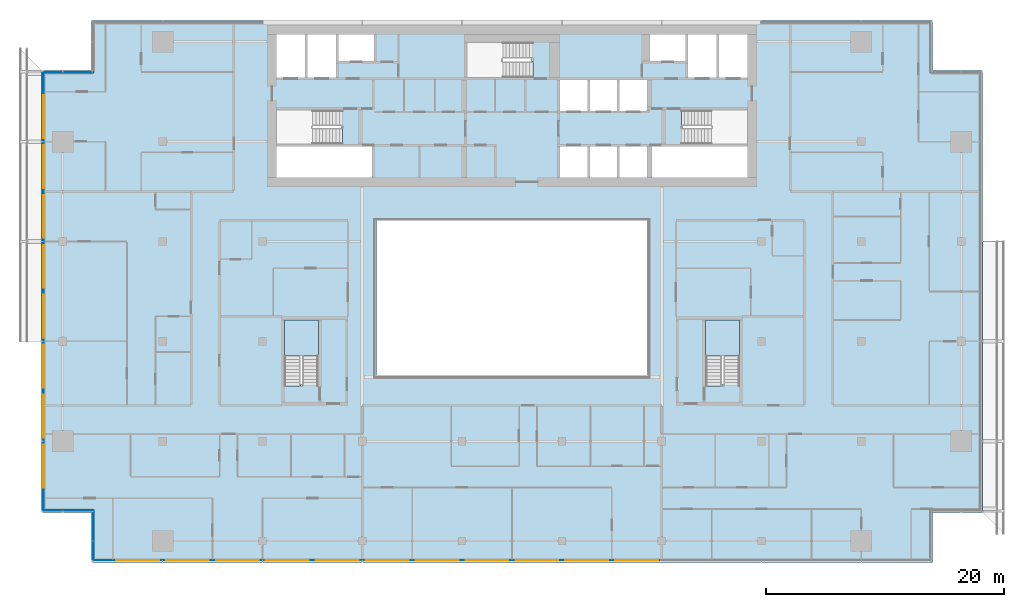
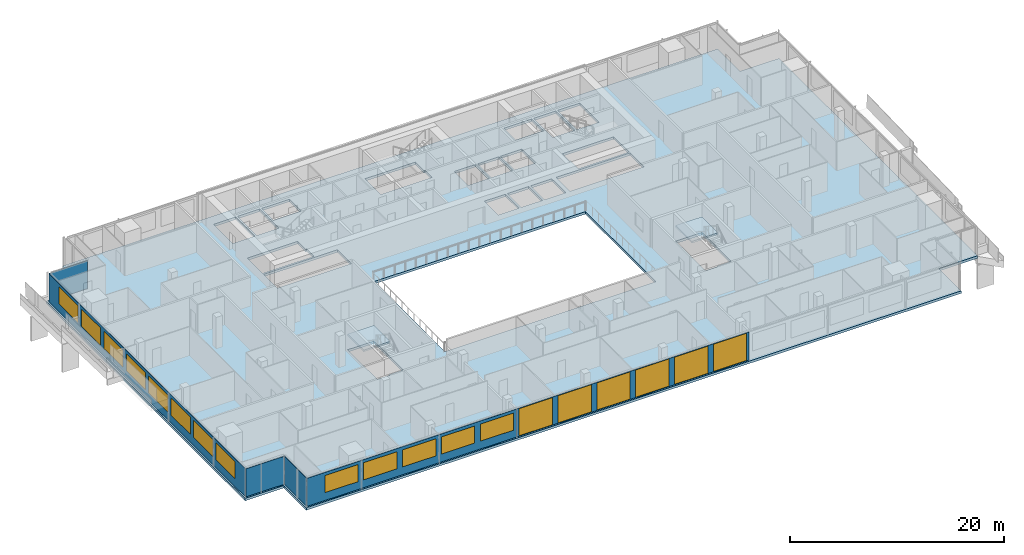
# One storey, part 14 of 27: 19 windows, 6 plates, 3 slabs, 19 openings, 7 elements without a shape of their own.
"""IFC4 building model written with IfcOpenShell, lengths in metres."""

import ifcopenshell
import ifcopenshell.guid

model = None  # the IFC model being written
_history = None  # IfcOwnerHistory: only IFC2X3 demands one
_inside = {}  # id of a spatial element -> (the spatial element, [elements in it])
_under = {}  # id of a project, library or spatial element -> (it, [spatial elements below it])
_declared = {}  # id of a project -> (the project, [libraries it declares])
_typed = {}  # id of a type object -> (the type object, [elements of that type])
_made_of = {}  # id of a material, layer set ... -> (it, [elements and type objects made of it])


def new_model(schema):
    """Start an empty IFC model of exactly this schema.

    Asked for "IFC4X3", IfcOpenShell would pick the latest addendum, in which some entities
    have other attributes; the version numbers below select the first issue.
    IFC2X3 requires an IfcOwnerHistory on every rooted entity: one is made here for all.
    """
    global model, _history
    if schema == "IFC4X3":
        model = ifcopenshell.file(schema_version=(4, 3, 0, 0))
    else:
        model = ifcopenshell.file(schema=schema)
    _inside.clear()
    _under.clear()
    _declared.clear()
    _typed.clear()
    _made_of.clear()
    _history = None
    if model.schema == "IFC2X3":
        org = make("IfcOrganization", Name="unknown")
        user = make(
            "IfcPersonAndOrganization",
            ThePerson=make("IfcPerson", FamilyName="unknown"),
            TheOrganization=org,
        )
        app = make(
            "IfcApplication",
            ApplicationDeveloper=org,
            Version="unknown",
            ApplicationFullName="unknown",
            ApplicationIdentifier="unknown",
        )
        _history = make(
            "IfcOwnerHistory",
            OwningUser=user,
            OwningApplication=app,
            ChangeAction="ADDED",
            CreationDate=0,
        )
    return model


def make(cls, **values):
    """One entity of the class cls with the attributes given. An attribute that is None is left unset."""
    return model.create_entity(
        cls, **{name: value for name, value in values.items() if value is not None}
    )


def rooted(cls, **values):
    """An entity with a GlobalId (a new one), such as an element, a storey or a relation."""
    return make(cls, GlobalId=ifcopenshell.guid.new(), OwnerHistory=_history, **values)


def si_unit(unit_type, name, prefix=None):
    """IfcSIUnit, for example si_unit("LENGTHUNIT", "METRE", prefix="MILLI")."""
    return make("IfcSIUnit", UnitType=unit_type, Prefix=prefix, Name=name)


def assignment(units):
    """IfcUnitAssignment: the units of a project."""
    return None if units is None else make("IfcUnitAssignment", Units=units)


def point(xyz):
    """IfcCartesianPoint."""
    return None if xyz is None else make("IfcCartesianPoint", Coordinates=xyz)


def direction(xyz):
    """IfcDirection."""
    return None if xyz is None else make("IfcDirection", DirectionRatios=xyz)


def frame(location, z_axis=None, x_axis=None):
    """IfcAxis2Placement3D, a coordinate frame: its origin and axes. An axis left out is left unset."""
    return make(
        "IfcAxis2Placement3D",
        Location=point(location),
        Axis=direction(z_axis),
        RefDirection=direction(x_axis),
    )


def frame_2d(location, x_axis=None):
    """IfcAxis2Placement2D, a coordinate frame in the plane: its origin and x axis."""
    return make(
        "IfcAxis2Placement2D", Location=point(location), RefDirection=direction(x_axis)
    )


def origin():
    """The frame at (0, 0, 0) with its axes left unset."""
    return frame((0.0, 0.0, 0.0))


def place(relative_to, where):
    """IfcLocalPlacement: puts the frame where relative to a parent placement (None: the world)."""
    return make(
        "IfcLocalPlacement", PlacementRelTo=relative_to, RelativePlacement=where
    )


def context(
    kind, dimensions, precision=None, world=None, true_north=None, identifier=None
):
    """IfcGeometricRepresentationContext, for example the 3D "Model" context."""
    return make(
        "IfcGeometricRepresentationContext",
        ContextIdentifier=identifier,
        ContextType=kind,
        CoordinateSpaceDimension=dimensions,
        Precision=precision,
        WorldCoordinateSystem=world,
        TrueNorth=true_north,
    )


def subcontext(parent, identifier, kind, view, scale=None):
    """IfcGeometricRepresentationSubContext, for example "Body" below "Model"."""
    return make(
        "IfcGeometricRepresentationSubContext",
        ContextIdentifier=identifier,
        ContextType=kind,
        ParentContext=parent,
        TargetScale=scale,
        TargetView=view,
    )


def project(units=None, contexts=None):
    """IfcProject with its units and contexts."""
    return rooted(
        "IfcProject",
        Name="project",
        RepresentationContexts=contexts,
        UnitsInContext=assignment(units),
    )


def spatial(cls, under=None, at=None, **own):
    """A site, building, storey or space (cls), placed at a placement, below another one or the project."""
    s = rooted(cls, ObjectPlacement=at, **own)
    if under is not None:
        _under.setdefault(under.id(), (under, []))[1].append(s)
    return s


def polyline(points):
    """IfcPolyline through the points."""
    return make("IfcPolyline", Points=[point(p) for p in points])


def profile(cls, at=None, kind="AREA", **sizes):
    """A parametric profile (cls). Its sizes go by their IFC names, for example OverallWidth=200.0."""
    return make(cls, ProfileType=kind, Position=at, **sizes)


def rectangle(**sizes):
    """IfcRectangleProfileDef."""
    return profile("IfcRectangleProfileDef", **sizes)


def outline(outer, holes=None, kind="AREA"):
    """IfcArbitraryClosedProfileDef: a profile drawn as a closed curve; with holes, ...WithVoids."""
    if holes is None:
        return make("IfcArbitraryClosedProfileDef", ProfileType=kind, OuterCurve=outer)
    return make(
        "IfcArbitraryProfileDefWithVoids",
        ProfileType=kind,
        OuterCurve=outer,
        InnerCurves=holes,
    )


def extrude(swept, where, along, depth):
    """IfcExtrudedAreaSolid: the profile swept, set in the frame where, extruded along a direction by depth."""
    return make(
        "IfcExtrudedAreaSolid",
        SweptArea=swept,
        Position=where,
        ExtrudedDirection=direction(along),
        Depth=depth,
    )


def shape(context_of_items, identifier, shape_type, items):
    """IfcShapeRepresentation: the items that make up one representation, for example the "Body"."""
    return make(
        "IfcShapeRepresentation",
        ContextOfItems=context_of_items,
        RepresentationIdentifier=identifier,
        RepresentationType=shape_type,
        Items=items,
    )


def material(Name=None, Category=None):
    """IfcMaterial."""
    return make("IfcMaterial", Name=Name, Category=Category)


def layer(
    of_material, thickness, ventilated=None, Name=None, Category=None, Priority=None
):
    """IfcMaterialLayer: one layer of a wall or slab, of a material (None: an air gap)."""
    return make(
        "IfcMaterialLayer",
        Material=of_material,
        LayerThickness=thickness,
        IsVentilated=ventilated,
        Name=Name,
        Category=Category,
        Priority=Priority,
    )


def layer_set(layers, Name=None):
    """IfcMaterialLayerSet."""
    return make("IfcMaterialLayerSet", MaterialLayers=layers, LayerSetName=Name)


def made_of(thing, what):
    """Note that an element or type object is made of a material, layer set ...; save() writes the relation."""
    if what is not None:
        _made_of.setdefault(what.id(), (what, []))[1].append(thing)
    return thing


def type_object(cls, material=None, **own):
    """A type object (cls), such as IfcWallType, which elements share."""
    return made_of(rooted(cls, **own), material)


def element(
    cls,
    number,
    at=None,
    inside=None,
    cuts=None,
    type_object=None,
    material=None,
    context=None,
    identifier="Body",
    shape_type=None,
    held_by="IfcProductDefinitionShape",
    body=None,
    shapes=None,
    **own,
):
    """One element of the class cls, such as IfcWall. Its Tag is "e" and its number.

    at: its placement. inside: the storey or other place that contains it. cuts: it is an
    opening in that element (IfcRelVoidsElement). A single representation is given by context,
    identifier, shape_type and body (its items); several are given by shapes. held_by: the class
    of the entity that holds the representations. save() writes the other relations.
    """
    e = rooted(cls, Tag="e%d" % number, ObjectPlacement=at, **own)
    if body is not None:
        shapes = [shape(context, identifier, shape_type, body)]
    if shapes is not None:
        e.Representation = make(held_by, Representations=shapes)
    if inside is not None:
        _inside.setdefault(inside.id(), (inside, []))[1].append(e)
    if cuts is not None:
        rooted(
            "IfcRelVoidsElement", RelatingBuildingElement=cuts, RelatedOpeningElement=e
        )
    if type_object is not None:
        _typed.setdefault(type_object.id(), (type_object, []))[1].append(e)
    return made_of(e, material)


def fill(opening, filler):
    """IfcRelFillsElement: the door or window that sits in an opening."""
    return rooted(
        "IfcRelFillsElement",
        RelatingOpeningElement=opening,
        RelatedBuildingElement=filler,
    )


def aggregate(whole, parts):
    """IfcRelAggregates: a whole, such as a stair, and the parts it consists of."""
    return rooted("IfcRelAggregates", RelatingObject=whole, RelatedObjects=parts)


def save(model, path):
    """Write the relations noted so far, then the file.

    IfcRelAggregates (storeys below a building ...), IfcRelContainedInSpatialStructure (elements
    in a storey), IfcRelDefinesByType, IfcRelAssociatesMaterial and IfcRelDeclares: one each for
    every whole, place, type object, material and project.
    """
    for whole, parts in _under.values():
        aggregate(whole, parts)
    for where, things in _inside.values():
        rooted(
            "IfcRelContainedInSpatialStructure",
            RelatedElements=things,
            RelatingStructure=where,
        )
    for kind, things in _typed.values():
        rooted("IfcRelDefinesByType", RelatedObjects=things, RelatingType=kind)
    for what, things in _made_of.values():
        rooted("IfcRelAssociatesMaterial", RelatedObjects=things, RelatingMaterial=what)
    for by, libraries in _declared.values():
        rooted("IfcRelDeclares", RelatingContext=by, RelatedDefinitions=libraries)
    model.write(path)


model = new_model("IFC4")

# Units and contexts
model_context = context("Model", 3, precision=1e-05, world=origin(), true_north=direction((0.0, 1.0)))
body_context = subcontext(model_context, "Body", "Model", "MODEL_VIEW")
ifc_project = project(units=[si_unit("LENGTHUNIT", "METRE"), si_unit("AREAUNIT", "SQUARE_METRE"), si_unit("VOLUMEUNIT", "CUBIC_METRE"), si_unit("PLANEANGLEUNIT", "RADIAN"), si_unit("MASSUNIT", "GRAM", prefix="KILO")], contexts=[model_context])

# Site, building, storey
site_placement = place(None, origin())
site = spatial("IfcSite", under=ifc_project, at=site_placement, CompositionType="ELEMENT")
building_placement = place(site_placement, origin())
building = spatial("IfcBuilding", under=site, at=building_placement, Name="Saffron Gate Tower", CompositionType="ELEMENT")
storey_placement = place(building_placement, frame((0.0, 0.0, 183.449951171875)))
storey = spatial("IfcBuildingStorey", under=building, at=storey_placement, Name="L45", CompositionType="ELEMENT", Elevation=183.449951171875)

# Curtain wall, plates, openings, windows
ifc_material_1 = material(Name="Aluminium, bronze anodised", Category="aluminium")
curtain_wall_type_1 = type_object("IfcCurtainWallType", Name="CWS1 curtain wall front facade", PredefinedType="NOTDEFINED", material=ifc_material_1)
curtain_wall_1_placement = place(storey_placement, origin())
curtain_wall_1 = element("IfcCurtainWall", 1, at=curtain_wall_1_placement, inside=storey, type_object=curtain_wall_type_1, Name="CWS1 run 1", PredefinedType="NOTDEFINED")
ifc_material_2 = material(Name="Clear low-iron laminated glass", Category="glass")
ifc_layer_1 = layer(ifc_material_2, 0.028076171875)
ifc_layer_set_1 = layer_set([ifc_layer_1], Name="CWS1 clear glass")
plate_type_1 = type_object("IfcPlateType", Name="CWS1 clear glass", PredefinedType="CURTAIN_PANEL", material=ifc_layer_set_1)
plate_1_placement = place(storey_placement, frame((75.030029296875, 30.174072265625, 0.0), z_axis=(0.0, 0.0, 1.0), x_axis=(1.0, 0.0, 0.0)))
plate_1 = element("IfcPlate", 2, at=plate_1_placement, type_object=plate_type_1, Name="CWS1 clear glass panel", PredefinedType="CURTAIN_PANEL", context=body_context, shape_type="SweptSolid", body=[
    extrude(rectangle(XDim=25.139892578125, YDim=0.028076171875, at=frame_2d((12.56982421875, 0.0))), origin(), (0.0, 0.0, 1.0), 3.199951171875),
])
opening_1_placement = place(plate_1_placement, frame((0.27001953125, 0.0, 0.050048828125)))
opening_1 = element("IfcOpeningElement", 3, at=opening_1_placement, cuts=plate_1, Name="Opening WA", PredefinedType="OPENING", context=body_context, shape_type="SweptSolid", body=[
    extrude(rectangle(XDim=3.60009765625, YDim=3.10009765625, at=frame_2d((1.800048828125, 1.550048828125))), frame((0.0, 0.02392578125, 0.0), z_axis=(0.0, -1.0, 0.0), x_axis=(1.0, 0.0, 0.0)), (0.0, 0.0, 1.0), 0.048095703125),
])
opening_2_placement = place(plate_1_placement, frame((4.469970703125, 0.0, 0.050048828125)))
opening_2 = element("IfcOpeningElement", 4, at=opening_2_placement, cuts=plate_1, Name="Opening WA", PredefinedType="OPENING", context=body_context, shape_type="SweptSolid", body=[
    extrude(rectangle(XDim=3.60009765625, YDim=3.10009765625, at=frame_2d((1.800048828125, 1.550048828125))), frame((0.0, 0.02392578125, 0.0), z_axis=(0.0, -1.0, 0.0), x_axis=(1.0, 0.0, 0.0)), (0.0, 0.0, 1.0), 0.048095703125),
])
opening_3_placement = place(plate_1_placement, frame((8.669921875, 0.0, 0.050048828125)))
opening_3 = element("IfcOpeningElement", 5, at=opening_3_placement, cuts=plate_1, Name="Opening WA", PredefinedType="OPENING", context=body_context, shape_type="SweptSolid", body=[
    extrude(rectangle(XDim=3.60009765625, YDim=3.10009765625, at=frame_2d((1.800048828125, 1.550048828125))), frame((0.0, 0.02392578125, 0.0), z_axis=(0.0, -1.0, 0.0), x_axis=(1.0, 0.0, 0.0)), (0.0, 0.0, 1.0), 0.048095703125),
])
opening_4_placement = place(plate_1_placement, frame((12.8701171875, 0.0, 0.050048828125)))
opening_4 = element("IfcOpeningElement", 6, at=opening_4_placement, cuts=plate_1, Name="Opening WA", PredefinedType="OPENING", context=body_context, shape_type="SweptSolid", body=[
    extrude(rectangle(XDim=3.60009765625, YDim=3.10009765625, at=frame_2d((1.800048828125, 1.550048828125))), frame((0.0, 0.02392578125, 0.0), z_axis=(0.0, -1.0, 0.0), x_axis=(1.0, 0.0, 0.0)), (0.0, 0.0, 1.0), 0.048095703125),
])
opening_5_placement = place(plate_1_placement, frame((17.070068359375, 0.0, 0.050048828125)))
opening_5 = element("IfcOpeningElement", 7, at=opening_5_placement, cuts=plate_1, Name="Opening WA", PredefinedType="OPENING", context=body_context, shape_type="SweptSolid", body=[
    extrude(rectangle(XDim=3.60009765625, YDim=3.10009765625, at=frame_2d((1.800048828125, 1.550048828125))), frame((0.0, 0.02392578125, 0.0), z_axis=(0.0, -1.0, 0.0), x_axis=(1.0, 0.0, 0.0)), (0.0, 0.0, 1.0), 0.048095703125),
])
opening_6_placement = place(plate_1_placement, frame((21.27001953125, 0.0, 0.050048828125)))
opening_6 = element("IfcOpeningElement", 8, at=opening_6_placement, cuts=plate_1, Name="Opening WA", PredefinedType="OPENING", context=body_context, shape_type="SweptSolid", body=[
    extrude(rectangle(XDim=3.60009765625, YDim=3.10009765625, at=frame_2d((1.800048828125, 1.550048828125))), frame((0.0, 0.02392578125, 0.0), z_axis=(0.0, -1.0, 0.0), x_axis=(1.0, 0.0, 0.0)), (0.0, 0.0, 1.0), 0.048095703125),
])
ifc_material_3 = material(Name="Clear low-iron laminated glass in bronze frame", Category="glass")
ifc_layer_2 = layer(ifc_material_3, 0.06005859375)
ifc_layer_set_2 = layer_set([ifc_layer_2], Name="WA operable atrium unit 3600x3100")
window_type_1 = type_object("IfcWindowType", Name="WA operable atrium unit 3600x3100", PartitioningType="DOUBLE_PANEL_HORIZONTAL", PredefinedType="WINDOW", material=ifc_layer_set_2)
window_1_placement = place(opening_1_placement, origin())
window_1 = element("IfcWindow", 9, at=window_1_placement, type_object=window_type_1, Name="WA operable atrium unit", OverallHeight=3.10009765625, OverallWidth=3.60009765625, PartitioningType="SINGLE_PANEL", PredefinedType="WINDOW", context=body_context, shape_type="SweptSolid", body=[
    extrude(rectangle(XDim=3.60009765625, YDim=3.10009765625, at=frame_2d((1.800048828125, 1.550048828125))), frame((0.0, 0.013671875, 0.0), z_axis=(0.0, -1.0, 0.0), x_axis=(1.0, 0.0, 0.0)), (0.0, 0.0, 1.0), 0.027587890625),
])
fill(opening_1, window_1)
window_2_placement = place(opening_2_placement, origin())
window_2 = element("IfcWindow", 10, at=window_2_placement, type_object=window_type_1, Name="WA operable atrium unit", OverallHeight=3.10009765625, OverallWidth=3.60009765625, PartitioningType="SINGLE_PANEL", PredefinedType="WINDOW", context=body_context, shape_type="SweptSolid", body=[
    extrude(rectangle(XDim=3.60009765625, YDim=3.10009765625, at=frame_2d((1.800048828125, 1.550048828125))), frame((0.0, 0.013671875, 0.0), z_axis=(0.0, -1.0, 0.0), x_axis=(1.0, 0.0, 0.0)), (0.0, 0.0, 1.0), 0.027587890625),
])
fill(opening_2, window_2)
window_3_placement = place(opening_3_placement, origin())
window_3 = element("IfcWindow", 11, at=window_3_placement, type_object=window_type_1, Name="WA operable atrium unit", OverallHeight=3.10009765625, OverallWidth=3.60009765625, PartitioningType="SINGLE_PANEL", PredefinedType="WINDOW", context=body_context, shape_type="SweptSolid", body=[
    extrude(rectangle(XDim=3.60009765625, YDim=3.10009765625, at=frame_2d((1.800048828125, 1.550048828125))), frame((0.0, 0.013671875, 0.0), z_axis=(0.0, -1.0, 0.0), x_axis=(1.0, 0.0, 0.0)), (0.0, 0.0, 1.0), 0.027587890625),
])
fill(opening_3, window_3)
window_4_placement = place(opening_4_placement, origin())
window_4 = element("IfcWindow", 12, at=window_4_placement, type_object=window_type_1, Name="WA operable atrium unit", OverallHeight=3.10009765625, OverallWidth=3.60009765625, PartitioningType="SINGLE_PANEL", PredefinedType="WINDOW", context=body_context, shape_type="SweptSolid", body=[
    extrude(rectangle(XDim=3.60009765625, YDim=3.10009765625, at=frame_2d((1.800048828125, 1.550048828125))), frame((0.0, 0.013671875, 0.0), z_axis=(0.0, -1.0, 0.0), x_axis=(1.0, 0.0, 0.0)), (0.0, 0.0, 1.0), 0.027587890625),
])
fill(opening_4, window_4)
window_5_placement = place(opening_5_placement, origin())
window_5 = element("IfcWindow", 13, at=window_5_placement, type_object=window_type_1, Name="WA operable atrium unit", OverallHeight=3.10009765625, OverallWidth=3.60009765625, PartitioningType="SINGLE_PANEL", PredefinedType="WINDOW", context=body_context, shape_type="SweptSolid", body=[
    extrude(rectangle(XDim=3.60009765625, YDim=3.10009765625, at=frame_2d((1.800048828125, 1.550048828125))), frame((0.0, 0.013671875, 0.0), z_axis=(0.0, -1.0, 0.0), x_axis=(1.0, 0.0, 0.0)), (0.0, 0.0, 1.0), 0.027587890625),
])
fill(opening_5, window_5)
window_6_placement = place(opening_6_placement, origin())
window_6 = element("IfcWindow", 14, at=window_6_placement, type_object=window_type_1, Name="WA operable atrium unit", OverallHeight=3.10009765625, OverallWidth=3.60009765625, PartitioningType="SINGLE_PANEL", PredefinedType="WINDOW", context=body_context, shape_type="SweptSolid", body=[
    extrude(rectangle(XDim=3.60009765625, YDim=3.10009765625, at=frame_2d((1.800048828125, 1.550048828125))), frame((0.0, 0.013671875, 0.0), z_axis=(0.0, -1.0, 0.0), x_axis=(1.0, 0.0, 0.0)), (0.0, 0.0, 1.0), 0.027587890625),
])
fill(opening_6, window_6)
ifc_material_4 = material(Name="Fritted bronze-tinted laminated glass", Category="glass")
ifc_layer_3 = layer(ifc_material_4, 0.028076171875)
ifc_layer_set_3 = layer_set([ifc_layer_3], Name="CWS1 fixed glass")
plate_type_2 = type_object("IfcPlateType", Name="CWS1 fixed glass", PredefinedType="CURTAIN_PANEL", material=ifc_layer_set_3)
plate_2_placement = place(storey_placement, frame((52.387939453125, 30.174072265625, 0.0), z_axis=(0.0, 0.0, 1.0), x_axis=(1.0, 0.0, 0.0)))
plate_2 = element("IfcPlate", 15, at=plate_2_placement, type_object=plate_type_2, Name="CWS1 glass panel", PredefinedType="CURTAIN_PANEL", context=body_context, shape_type="SweptSolid", body=[
    extrude(rectangle(XDim=22.64208984375, YDim=0.028076171875, at=frame_2d((11.321044921875, 0.0))), origin(), (0.0, 0.0, 1.0), 3.199951171875),
])
opening_7_placement = place(plate_2_placement, frame((1.912109375, 0.0, 0.89990234375)))
opening_7 = element("IfcOpeningElement", 16, at=opening_7_placement, cuts=plate_2, Name="Opening W1", PredefinedType="OPENING", context=body_context, shape_type="SweptSolid", body=[
    extrude(rectangle(XDim=3.60009765625, YDim=1.949951171875, at=frame_2d((1.800048828125, 0.97509765625))), frame((0.0, 0.02392578125, 0.0), z_axis=(0.0, -1.0, 0.0), x_axis=(1.0, 0.0, 0.0)), (0.0, 0.0, 1.0), 0.048095703125),
])
opening_8_placement = place(plate_2_placement, frame((6.112060546875, 0.0, 0.89990234375)))
opening_8 = element("IfcOpeningElement", 17, at=opening_8_placement, cuts=plate_2, Name="Opening W1", PredefinedType="OPENING", context=body_context, shape_type="SweptSolid", body=[
    extrude(rectangle(XDim=3.60009765625, YDim=1.949951171875, at=frame_2d((1.800048828125, 0.97509765625))), frame((0.0, 0.02392578125, 0.0), z_axis=(0.0, -1.0, 0.0), x_axis=(1.0, 0.0, 0.0)), (0.0, 0.0, 1.0), 0.048095703125),
])
opening_9_placement = place(plate_2_placement, frame((10.31201171875, 0.0, 0.89990234375)))
opening_9 = element("IfcOpeningElement", 18, at=opening_9_placement, cuts=plate_2, Name="Opening W1", PredefinedType="OPENING", context=body_context, shape_type="SweptSolid", body=[
    extrude(rectangle(XDim=3.60009765625, YDim=1.949951171875, at=frame_2d((1.800048828125, 0.97509765625))), frame((0.0, 0.02392578125, 0.0), z_axis=(0.0, -1.0, 0.0), x_axis=(1.0, 0.0, 0.0)), (0.0, 0.0, 1.0), 0.048095703125),
])
opening_10_placement = place(plate_2_placement, frame((14.511962890625, 0.0, 0.89990234375)))
opening_10 = element("IfcOpeningElement", 19, at=opening_10_placement, cuts=plate_2, Name="Opening W1", PredefinedType="OPENING", context=body_context, shape_type="SweptSolid", body=[
    extrude(rectangle(XDim=3.60009765625, YDim=1.949951171875, at=frame_2d((1.800048828125, 0.97509765625))), frame((0.0, 0.02392578125, 0.0), z_axis=(0.0, -1.0, 0.0), x_axis=(1.0, 0.0, 0.0)), (0.0, 0.0, 1.0), 0.048095703125),
])
opening_11_placement = place(plate_2_placement, frame((18.7119140625, 0.0, 0.89990234375)))
opening_11 = element("IfcOpeningElement", 20, at=opening_11_placement, cuts=plate_2, Name="Opening W1", PredefinedType="OPENING", context=body_context, shape_type="SweptSolid", body=[
    extrude(rectangle(XDim=3.60009765625, YDim=1.949951171875, at=frame_2d((1.800048828125, 0.97509765625))), frame((0.0, 0.02392578125, 0.0), z_axis=(0.0, -1.0, 0.0), x_axis=(1.0, 0.0, 0.0)), (0.0, 0.0, 1.0), 0.048095703125),
])
ifc_material_5 = material(Name="Fritted bronze-tinted laminated glass in bronze frame", Category="glass")
ifc_layer_4 = layer(ifc_material_5, 0.06005859375)
ifc_layer_set_4 = layer_set([ifc_layer_4], Name="W1 operable panel 3600x1950")
window_type_2 = type_object("IfcWindowType", Name="W1 operable panel 3600x1950", PartitioningType="DOUBLE_PANEL_HORIZONTAL", PredefinedType="WINDOW", material=ifc_layer_set_4)
window_7_placement = place(opening_7_placement, origin())
window_7 = element("IfcWindow", 21, at=window_7_placement, type_object=window_type_2, Name="W1 operable panel", OverallHeight=1.949951171875, OverallWidth=3.60009765625, PartitioningType="SINGLE_PANEL", PredefinedType="WINDOW", context=body_context, shape_type="SweptSolid", body=[
    extrude(rectangle(XDim=3.60009765625, YDim=1.949951171875, at=frame_2d((1.800048828125, 0.97509765625))), frame((0.0, 0.013671875, 0.0), z_axis=(0.0, -1.0, 0.0), x_axis=(1.0, 0.0, 0.0)), (0.0, 0.0, 1.0), 0.027587890625),
])
fill(opening_7, window_7)
window_8_placement = place(opening_8_placement, origin())
window_8 = element("IfcWindow", 22, at=window_8_placement, type_object=window_type_2, Name="W1 operable panel", OverallHeight=1.949951171875, OverallWidth=3.60009765625, PartitioningType="SINGLE_PANEL", PredefinedType="WINDOW", context=body_context, shape_type="SweptSolid", body=[
    extrude(rectangle(XDim=3.60009765625, YDim=1.949951171875, at=frame_2d((1.800048828125, 0.97509765625))), frame((0.0, 0.013671875, 0.0), z_axis=(0.0, -1.0, 0.0), x_axis=(1.0, 0.0, 0.0)), (0.0, 0.0, 1.0), 0.027587890625),
])
fill(opening_8, window_8)
window_9_placement = place(opening_9_placement, origin())
window_9 = element("IfcWindow", 23, at=window_9_placement, type_object=window_type_2, Name="W1 operable panel", OverallHeight=1.949951171875, OverallWidth=3.60009765625, PartitioningType="SINGLE_PANEL", PredefinedType="WINDOW", context=body_context, shape_type="SweptSolid", body=[
    extrude(rectangle(XDim=3.60009765625, YDim=1.949951171875, at=frame_2d((1.800048828125, 0.97509765625))), frame((0.0, 0.013671875, 0.0), z_axis=(0.0, -1.0, 0.0), x_axis=(1.0, 0.0, 0.0)), (0.0, 0.0, 1.0), 0.027587890625),
])
fill(opening_9, window_9)
window_10_placement = place(opening_10_placement, origin())
window_10 = element("IfcWindow", 24, at=window_10_placement, type_object=window_type_2, Name="W1 operable panel", OverallHeight=1.949951171875, OverallWidth=3.60009765625, PartitioningType="SINGLE_PANEL", PredefinedType="WINDOW", context=body_context, shape_type="SweptSolid", body=[
    extrude(rectangle(XDim=3.60009765625, YDim=1.949951171875, at=frame_2d((1.800048828125, 0.97509765625))), frame((0.0, 0.013671875, 0.0), z_axis=(0.0, -1.0, 0.0), x_axis=(1.0, 0.0, 0.0)), (0.0, 0.0, 1.0), 0.027587890625),
])
fill(opening_10, window_10)
window_11_placement = place(opening_11_placement, origin())
window_11 = element("IfcWindow", 25, at=window_11_placement, type_object=window_type_2, Name="W1 operable panel", OverallHeight=1.949951171875, OverallWidth=3.60009765625, PartitioningType="SINGLE_PANEL", PredefinedType="WINDOW", context=body_context, shape_type="SweptSolid", body=[
    extrude(rectangle(XDim=3.60009765625, YDim=1.949951171875, at=frame_2d((1.800048828125, 0.97509765625))), frame((0.0, 0.013671875, 0.0), z_axis=(0.0, -1.0, 0.0), x_axis=(1.0, 0.0, 0.0)), (0.0, 0.0, 1.0), 0.027587890625),
])
fill(opening_11, window_11)
aggregate(curtain_wall_1, [plate_2, plate_1, window_7, window_8, window_9, window_10, window_11, window_1, window_2, window_3, window_4, window_5, window_6])

# Curtain wall, plate, openings, windows
curtain_wall_type_2 = type_object("IfcCurtainWallType", Name="CWS2 curtain wall side facades", PredefinedType="NOTDEFINED", material=ifc_material_1)
curtain_wall_2_placement = place(storey_placement, origin())
curtain_wall_2 = element("IfcCurtainWall", 26, at=curtain_wall_2_placement, inside=storey, type_object=curtain_wall_type_2, Name="CWS2 run 10", PredefinedType="NOTDEFINED")
ifc_layer_5 = layer(ifc_material_4, 0.028076171875)
ifc_layer_set_5 = layer_set([ifc_layer_5], Name="CWS2 fixed glass")
plate_type_3 = type_object("IfcPlateType", Name="CWS2 fixed glass", PredefinedType="CURTAIN_PANEL", material=ifc_layer_set_5)
plate_3_placement = place(storey_placement, frame((48.174072265625, 71.2119140625, 0.0), z_axis=(0.0, 0.0, 1.0), x_axis=(0.0, -1.0, 0.0)))
plate_3 = element("IfcPlate", 27, at=plate_3_placement, type_object=plate_type_3, Name="CWS2 glass panel", PredefinedType="CURTAIN_PANEL", context=body_context, shape_type="SweptSolid", body=[
    extrude(rectangle(XDim=36.823974609375, YDim=0.028076171875, at=frame_2d((18.412109375, 0.0))), origin(), (0.0, 0.0, 1.0), 3.199951171875),
])
opening_12_placement = place(plate_3_placement, frame((1.912109375, 0.0, 0.89990234375)))
opening_12 = element("IfcOpeningElement", 28, at=opening_12_placement, cuts=plate_3, Name="Opening W1", PredefinedType="OPENING", context=body_context, shape_type="SweptSolid", body=[
    extrude(rectangle(XDim=3.60009765625, YDim=1.949951171875, at=frame_2d((1.800048828125, 0.97509765625))), frame((0.0, 0.02392578125, 0.0), z_axis=(0.0, -1.0, 0.0), x_axis=(1.0, 0.0, 0.0)), (0.0, 0.0, 1.0), 0.048095703125),
])
opening_13_placement = place(plate_3_placement, frame((6.112060546875, 0.0, 0.89990234375)))
opening_13 = element("IfcOpeningElement", 29, at=opening_13_placement, cuts=plate_3, Name="Opening W1", PredefinedType="OPENING", context=body_context, shape_type="SweptSolid", body=[
    extrude(rectangle(XDim=3.60009765625, YDim=1.949951171875, at=frame_2d((1.800048828125, 0.97509765625))), frame((0.0, 0.02392578125, 0.0), z_axis=(0.0, -1.0, 0.0), x_axis=(1.0, 0.0, 0.0)), (0.0, 0.0, 1.0), 0.048095703125),
])
opening_14_placement = place(plate_3_placement, frame((10.31201171875, 0.0, 0.89990234375)))
opening_14 = element("IfcOpeningElement", 30, at=opening_14_placement, cuts=plate_3, Name="Opening W1", PredefinedType="OPENING", context=body_context, shape_type="SweptSolid", body=[
    extrude(rectangle(XDim=3.60009765625, YDim=1.949951171875, at=frame_2d((1.800048828125, 0.97509765625))), frame((0.0, 0.02392578125, 0.0), z_axis=(0.0, -1.0, 0.0), x_axis=(1.0, 0.0, 0.0)), (0.0, 0.0, 1.0), 0.048095703125),
])
opening_15_placement = place(plate_3_placement, frame((14.511962890625, 0.0, 0.89990234375)))
opening_15 = element("IfcOpeningElement", 31, at=opening_15_placement, cuts=plate_3, Name="Opening W1", PredefinedType="OPENING", context=body_context, shape_type="SweptSolid", body=[
    extrude(rectangle(XDim=3.60009765625, YDim=1.949951171875, at=frame_2d((1.800048828125, 0.97509765625))), frame((0.0, 0.02392578125, 0.0), z_axis=(0.0, -1.0, 0.0), x_axis=(1.0, 0.0, 0.0)), (0.0, 0.0, 1.0), 0.048095703125),
])
opening_16_placement = place(plate_3_placement, frame((18.7119140625, 0.0, 0.89990234375)))
opening_16 = element("IfcOpeningElement", 32, at=opening_16_placement, cuts=plate_3, Name="Opening W1", PredefinedType="OPENING", context=body_context, shape_type="SweptSolid", body=[
    extrude(rectangle(XDim=3.60009765625, YDim=1.949951171875, at=frame_2d((1.800048828125, 0.97509765625))), frame((0.0, 0.02392578125, 0.0), z_axis=(0.0, -1.0, 0.0), x_axis=(1.0, 0.0, 0.0)), (0.0, 0.0, 1.0), 0.048095703125),
])
opening_17_placement = place(plate_3_placement, frame((22.912109375, 0.0, 0.89990234375)))
opening_17 = element("IfcOpeningElement", 33, at=opening_17_placement, cuts=plate_3, Name="Opening W1", PredefinedType="OPENING", context=body_context, shape_type="SweptSolid", body=[
    extrude(rectangle(XDim=3.60009765625, YDim=1.949951171875, at=frame_2d((1.800048828125, 0.97509765625))), frame((0.0, 0.02392578125, 0.0), z_axis=(0.0, -1.0, 0.0), x_axis=(1.0, 0.0, 0.0)), (0.0, 0.0, 1.0), 0.048095703125),
])
opening_18_placement = place(plate_3_placement, frame((27.112060546875, 0.0, 0.89990234375)))
opening_18 = element("IfcOpeningElement", 34, at=opening_18_placement, cuts=plate_3, Name="Opening W1", PredefinedType="OPENING", context=body_context, shape_type="SweptSolid", body=[
    extrude(rectangle(XDim=3.60009765625, YDim=1.949951171875, at=frame_2d((1.800048828125, 0.97509765625))), frame((0.0, 0.02392578125, 0.0), z_axis=(0.0, -1.0, 0.0), x_axis=(1.0, 0.0, 0.0)), (0.0, 0.0, 1.0), 0.048095703125),
])
opening_19_placement = place(plate_3_placement, frame((31.31201171875, 0.0, 0.89990234375)))
opening_19 = element("IfcOpeningElement", 35, at=opening_19_placement, cuts=plate_3, Name="Opening W1", PredefinedType="OPENING", context=body_context, shape_type="SweptSolid", body=[
    extrude(rectangle(XDim=3.60009765625, YDim=1.949951171875, at=frame_2d((1.800048828125, 0.97509765625))), frame((0.0, 0.02392578125, 0.0), z_axis=(0.0, -1.0, 0.0), x_axis=(1.0, 0.0, 0.0)), (0.0, 0.0, 1.0), 0.048095703125),
])
window_12_placement = place(opening_12_placement, origin())
window_12 = element("IfcWindow", 36, at=window_12_placement, type_object=window_type_2, Name="W1 operable panel", OverallHeight=1.949951171875, OverallWidth=3.60009765625, PartitioningType="SINGLE_PANEL", PredefinedType="WINDOW", context=body_context, shape_type="SweptSolid", body=[
    extrude(rectangle(XDim=3.60009765625, YDim=1.949951171875, at=frame_2d((1.800048828125, 0.97509765625))), frame((0.0, 0.013671875, 0.0), z_axis=(0.0, -1.0, 0.0), x_axis=(1.0, 0.0, 0.0)), (0.0, 0.0, 1.0), 0.027587890625),
])
fill(opening_12, window_12)
window_13_placement = place(opening_13_placement, origin())
window_13 = element("IfcWindow", 37, at=window_13_placement, type_object=window_type_2, Name="W1 operable panel", OverallHeight=1.949951171875, OverallWidth=3.60009765625, PartitioningType="SINGLE_PANEL", PredefinedType="WINDOW", context=body_context, shape_type="SweptSolid", body=[
    extrude(rectangle(XDim=3.60009765625, YDim=1.949951171875, at=frame_2d((1.800048828125, 0.97509765625))), frame((0.0, 0.013671875, 0.0), z_axis=(0.0, -1.0, 0.0), x_axis=(1.0, 0.0, 0.0)), (0.0, 0.0, 1.0), 0.027587890625),
])
fill(opening_13, window_13)
window_14_placement = place(opening_14_placement, origin())
window_14 = element("IfcWindow", 38, at=window_14_placement, type_object=window_type_2, Name="W1 operable panel", OverallHeight=1.949951171875, OverallWidth=3.60009765625, PartitioningType="SINGLE_PANEL", PredefinedType="WINDOW", context=body_context, shape_type="SweptSolid", body=[
    extrude(rectangle(XDim=3.60009765625, YDim=1.949951171875, at=frame_2d((1.800048828125, 0.97509765625))), frame((0.0, 0.013671875, 0.0), z_axis=(0.0, -1.0, 0.0), x_axis=(1.0, 0.0, 0.0)), (0.0, 0.0, 1.0), 0.027587890625),
])
fill(opening_14, window_14)
window_15_placement = place(opening_15_placement, origin())
window_15 = element("IfcWindow", 39, at=window_15_placement, type_object=window_type_2, Name="W1 operable panel", OverallHeight=1.949951171875, OverallWidth=3.60009765625, PartitioningType="SINGLE_PANEL", PredefinedType="WINDOW", context=body_context, shape_type="SweptSolid", body=[
    extrude(rectangle(XDim=3.60009765625, YDim=1.949951171875, at=frame_2d((1.800048828125, 0.97509765625))), frame((0.0, 0.013671875, 0.0), z_axis=(0.0, -1.0, 0.0), x_axis=(1.0, 0.0, 0.0)), (0.0, 0.0, 1.0), 0.027587890625),
])
fill(opening_15, window_15)
window_16_placement = place(opening_16_placement, origin())
window_16 = element("IfcWindow", 40, at=window_16_placement, type_object=window_type_2, Name="W1 operable panel", OverallHeight=1.949951171875, OverallWidth=3.60009765625, PartitioningType="SINGLE_PANEL", PredefinedType="WINDOW", context=body_context, shape_type="SweptSolid", body=[
    extrude(rectangle(XDim=3.60009765625, YDim=1.949951171875, at=frame_2d((1.800048828125, 0.97509765625))), frame((0.0, 0.013671875, 0.0), z_axis=(0.0, -1.0, 0.0), x_axis=(1.0, 0.0, 0.0)), (0.0, 0.0, 1.0), 0.027587890625),
])
fill(opening_16, window_16)
window_17_placement = place(opening_17_placement, origin())
window_17 = element("IfcWindow", 41, at=window_17_placement, type_object=window_type_2, Name="W1 operable panel", OverallHeight=1.949951171875, OverallWidth=3.60009765625, PartitioningType="SINGLE_PANEL", PredefinedType="WINDOW", context=body_context, shape_type="SweptSolid", body=[
    extrude(rectangle(XDim=3.60009765625, YDim=1.949951171875, at=frame_2d((1.800048828125, 0.97509765625))), frame((0.0, 0.013671875, 0.0), z_axis=(0.0, -1.0, 0.0), x_axis=(1.0, 0.0, 0.0)), (0.0, 0.0, 1.0), 0.027587890625),
])
fill(opening_17, window_17)
window_18_placement = place(opening_18_placement, origin())
window_18 = element("IfcWindow", 42, at=window_18_placement, type_object=window_type_2, Name="W1 operable panel", OverallHeight=1.949951171875, OverallWidth=3.60009765625, PartitioningType="SINGLE_PANEL", PredefinedType="WINDOW", context=body_context, shape_type="SweptSolid", body=[
    extrude(rectangle(XDim=3.60009765625, YDim=1.949951171875, at=frame_2d((1.800048828125, 0.97509765625))), frame((0.0, 0.013671875, 0.0), z_axis=(0.0, -1.0, 0.0), x_axis=(1.0, 0.0, 0.0)), (0.0, 0.0, 1.0), 0.027587890625),
])
fill(opening_18, window_18)
window_19_placement = place(opening_19_placement, origin())
window_19 = element("IfcWindow", 43, at=window_19_placement, type_object=window_type_2, Name="W1 operable panel", OverallHeight=1.949951171875, OverallWidth=3.60009765625, PartitioningType="SINGLE_PANEL", PredefinedType="WINDOW", context=body_context, shape_type="SweptSolid", body=[
    extrude(rectangle(XDim=3.60009765625, YDim=1.949951171875, at=frame_2d((1.800048828125, 0.97509765625))), frame((0.0, 0.013671875, 0.0), z_axis=(0.0, -1.0, 0.0), x_axis=(1.0, 0.0, 0.0)), (0.0, 0.0, 1.0), 0.027587890625),
])
fill(opening_19, window_19)
aggregate(curtain_wall_2, [plate_3, window_12, window_13, window_14, window_15, window_16, window_17, window_18, window_19])

# Curtain wall, plate
curtain_wall_type_3 = type_object("IfcCurtainWallType", Name="CWS4 curtain wall corner returns", PredefinedType="NOTDEFINED", material=ifc_material_1)
curtain_wall_3_placement = place(storey_placement, origin())
curtain_wall_3 = element("IfcCurtainWall", 44, at=curtain_wall_3_placement, inside=storey, type_object=curtain_wall_type_3, Name="CWS4 run 9", PredefinedType="NOTDEFINED")
ifc_layer_6 = layer(ifc_material_4, 0.028076171875)
ifc_layer_set_6 = layer_set([ifc_layer_6], Name="CWS4 fixed glass")
plate_type_4 = type_object("IfcPlateType", Name="CWS4 fixed glass", PredefinedType="CURTAIN_PANEL", material=ifc_layer_set_6)
plate_4_placement = place(storey_placement, frame((52.360107421875, 71.22607421875, 0.0), z_axis=(0.0, 0.0, 1.0), x_axis=(-1.0, 0.0, 0.0)))
plate_4 = element("IfcPlate", 45, at=plate_4_placement, type_object=plate_type_4, Name="CWS4 glass panel", PredefinedType="CURTAIN_PANEL", context=body_context, shape_type="SweptSolid", body=[
    extrude(rectangle(XDim=4.172119140625, YDim=0.028076171875, at=frame_2d((2.0859375, 0.0))), origin(), (0.0, 0.0, 1.0), 3.199951171875),
])
aggregate(curtain_wall_3, [plate_4])

curtain_wall_4_placement = place(storey_placement, origin())
curtain_wall_4 = element("IfcCurtainWall", 46, at=curtain_wall_4_placement, inside=storey, type_object=curtain_wall_type_3, Name="CWS4 run 11", PredefinedType="NOTDEFINED")
plate_5_placement = place(storey_placement, frame((48.18798828125, 34.3740234375, 0.0), z_axis=(0.0, 0.0, 1.0), x_axis=(1.0, 0.0, 0.0)))
plate_5 = element("IfcPlate", 47, at=plate_5_placement, type_object=plate_type_4, Name="CWS4 glass panel", PredefinedType="CURTAIN_PANEL", context=body_context, shape_type="SweptSolid", body=[
    extrude(rectangle(XDim=4.172119140625, YDim=0.028076171875, at=frame_2d((2.0859375, 0.0))), origin(), (0.0, 0.0, 1.0), 3.199951171875),
])
aggregate(curtain_wall_4, [plate_5])

curtain_wall_5_placement = place(storey_placement, origin())
curtain_wall_5 = element("IfcCurtainWall", 48, at=curtain_wall_5_placement, inside=storey, type_object=curtain_wall_type_3, Name="CWS4 run 12", PredefinedType="NOTDEFINED")
plate_6_placement = place(storey_placement, frame((52.3740234375, 34.360107421875, 0.0), z_axis=(0.0, 0.0, 1.0), x_axis=(0.0, -1.0, 0.0)))
plate_6 = element("IfcPlate", 49, at=plate_6_placement, type_object=plate_type_4, Name="CWS4 glass panel", PredefinedType="CURTAIN_PANEL", context=body_context, shape_type="SweptSolid", body=[
    extrude(rectangle(XDim=4.172119140625, YDim=0.028076171875, at=frame_2d((2.0859375, 0.0))), origin(), (0.0, 0.0, 1.0), 3.199951171875),
])
aggregate(curtain_wall_5, [plate_6])

# Slab
ifc_material_6 = material(Name="Concrete C40", Category="concrete")
ifc_layer_7 = layer(ifc_material_6, 0.280029296875)
ifc_layer_set_7 = layer_set([ifc_layer_7], Name="S2 FLOOR SLAB 280 CONCRETE C40")
slab_type_1 = type_object("IfcSlabType", Name="S2 FLOOR SLAB 280 CONCRETE C40", PredefinedType="FLOOR", material=ifc_layer_set_7)
slab_1_placement = place(storey_placement, frame((0.0, 0.0, -0.280029296875)))
element("IfcSlab", 50, at=slab_1_placement, inside=storey, type_object=slab_type_1, Name="S2 FLOOR SLAB", PredefinedType="FLOOR", context=body_context, shape_type="SweptSolid", body=[
    extrude(outline(polyline([(48.0, 34.199951171875), (52.199951171875, 34.199951171875), (52.199951171875, 30.0), (123.0, 30.0), (123.0, 34.199951171875), (127.199951171875, 34.199951171875), (127.199951171875, 71.39990234375), (123.0, 71.39990234375), (123.0, 75.60009765625), (52.199951171875, 75.60009765625), (52.199951171875, 71.39990234375), (48.0, 71.39990234375), (48.0, 34.199951171875)]), holes=[polyline([(67.800048828125, 62.39990234375), (67.800048828125, 65.0), (75.800048828125, 65.0), (75.800048828125, 62.39990234375), (67.800048828125, 62.39990234375)]), polyline([(67.800048828125, 65.199951171875), (67.800048828125, 68.050048828125), (73.25, 68.050048828125), (73.25, 66.550048828125), (73.34912109375, 66.550048828125), (73.34912109375, 65.199951171875), (67.800048828125, 65.199951171875)]), polyline([(67.800048828125, 70.800048828125), (67.800048828125, 74.39990234375), (70.199951171875, 74.39990234375), (70.199951171875, 70.800048828125), (67.800048828125, 70.800048828125)]), polyline([(68.449951171875, 44.85107421875), (68.449951171875, 50.39990234375), (71.300048828125, 50.39990234375), (71.300048828125, 44.949951171875), (69.800048828125, 44.949951171875), (69.800048828125, 44.85107421875), (68.449951171875, 44.85107421875)]), polyline([(70.39990234375, 70.800048828125), (70.39990234375, 74.39990234375), (72.800048828125, 74.39990234375), (72.800048828125, 70.800048828125), (70.39990234375, 70.800048828125)]), polyline([(73.0, 72.199951171875), (73.0, 74.39990234375), (76.0, 74.39990234375), (76.0, 72.199951171875), (73.0, 72.199951171875)]), polyline([(76.199951171875, 45.60009765625), (76.199951171875, 58.800048828125), (99.0, 58.800048828125), (99.0, 45.60009765625), (76.199951171875, 45.60009765625)]), polyline([(83.800048828125, 70.800048828125), (83.800048828125, 73.75), (89.25, 73.75), (89.25, 72.14990234375), (89.34912109375, 72.14990234375), (89.34912109375, 70.800048828125), (83.800048828125, 70.800048828125)]), polyline([(91.64990234375, 62.39990234375), (91.64990234375, 65.0), (93.949951171875, 65.0), (93.949951171875, 62.39990234375), (91.64990234375, 62.39990234375)]), polyline([(91.64990234375, 68.0), (91.64990234375, 70.60009765625), (93.949951171875, 70.60009765625), (93.949951171875, 68.0), (91.64990234375, 68.0)]), polyline([(94.14990234375, 62.39990234375), (94.14990234375, 65.0), (96.449951171875, 65.0), (96.449951171875, 62.39990234375), (94.14990234375, 62.39990234375)]), polyline([(94.14990234375, 68.0), (94.14990234375, 70.60009765625), (96.449951171875, 70.60009765625), (96.449951171875, 68.0), (94.14990234375, 68.0)]), polyline([(96.64990234375, 62.39990234375), (96.64990234375, 65.0), (98.949951171875, 65.0), (98.949951171875, 62.39990234375), (96.64990234375, 62.39990234375)]), polyline([(96.64990234375, 68.0), (96.64990234375, 70.60009765625), (98.949951171875, 70.60009765625), (98.949951171875, 68.0), (96.64990234375, 68.0)]), polyline([(99.199951171875, 72.199951171875), (99.199951171875, 74.39990234375), (102.199951171875, 74.39990234375), (102.199951171875, 72.199951171875), (99.199951171875, 72.199951171875)]), polyline([(99.39990234375, 62.39990234375), (99.39990234375, 65.0), (107.39990234375, 65.0), (107.39990234375, 62.39990234375), (99.39990234375, 62.39990234375)]), polyline([(101.85107421875, 66.699951171875), (101.85107421875, 68.050048828125), (107.39990234375, 68.050048828125), (107.39990234375, 65.199951171875), (101.949951171875, 65.199951171875), (101.949951171875, 66.699951171875), (101.85107421875, 66.699951171875)]), polyline([(102.39990234375, 70.800048828125), (102.39990234375, 74.39990234375), (104.800048828125, 74.39990234375), (104.800048828125, 70.800048828125), (102.39990234375, 70.800048828125)]), polyline([(103.89990234375, 44.85107421875), (103.89990234375, 50.39990234375), (106.75, 50.39990234375), (106.75, 44.949951171875), (105.25, 44.949951171875), (105.25, 44.85107421875), (103.89990234375, 44.85107421875)]), polyline([(105.0, 70.800048828125), (105.0, 74.39990234375), (107.39990234375, 74.39990234375), (107.39990234375, 70.800048828125), (105.0, 70.800048828125)])]), origin(), (0.0, 0.0, 1.0), 0.280029296875),
])

# Stair, slab
stair_type = type_object("IfcStairType", Name="ST7 Stair 1350 wide, 20 risers of 180", PredefinedType="HALF_TURN_STAIR", material=ifc_material_6)
stair_1_placement = place(storey_placement, origin())
stair_1 = element("IfcStair", 51, at=stair_1_placement, inside=storey, type_object=stair_type, Name="L45 Exit stair D", PredefinedType="HALF_TURN_STAIR")
ifc_layer_8 = layer(ifc_material_6, 0.199951171875)
ifc_layer_set_8 = layer_set([ifc_layer_8], Name="SL1 Stair landing 200")
slab_type_2 = type_object("IfcSlabType", Name="SL1 Stair landing 200", PredefinedType="LANDING", material=ifc_layer_set_8)
slab_2_placement = place(storey_placement, frame((0.0, 0.0, 1.60009765625)))
slab_2 = element("IfcSlab", 52, at=slab_2_placement, type_object=slab_type_2, Name="ST-D landing 1", PredefinedType="LANDING", context=body_context, shape_type="SweptSolid", body=[
    extrude(outline(polyline([(71.300048828125, 47.3701171875), (71.300048828125, 50.39990234375), (68.449951171875, 50.39990234375), (68.449951171875, 47.3701171875), (71.300048828125, 47.3701171875)])), origin(), (0.0, 0.0, 1.0), 0.199951171875),
])
aggregate(stair_1, [slab_2])

stair_2_placement = place(storey_placement, origin())
stair_2 = element("IfcStair", 53, at=stair_2_placement, inside=storey, type_object=stair_type, Name="L45 Exit stair E", PredefinedType="HALF_TURN_STAIR")
slab_3_placement = place(storey_placement, frame((0.0, 0.0, 1.60009765625)))
slab_3 = element("IfcSlab", 54, at=slab_3_placement, type_object=slab_type_2, Name="ST-E landing 1", PredefinedType="LANDING", context=body_context, shape_type="SweptSolid", body=[
    extrude(outline(polyline([(106.75, 47.3701171875), (106.75, 50.39990234375), (103.89990234375, 50.39990234375), (103.89990234375, 47.3701171875), (106.75, 47.3701171875)])), origin(), (0.0, 0.0, 1.0), 0.199951171875),
])
aggregate(stair_2, [slab_3])

save(model, "model.ifc")
